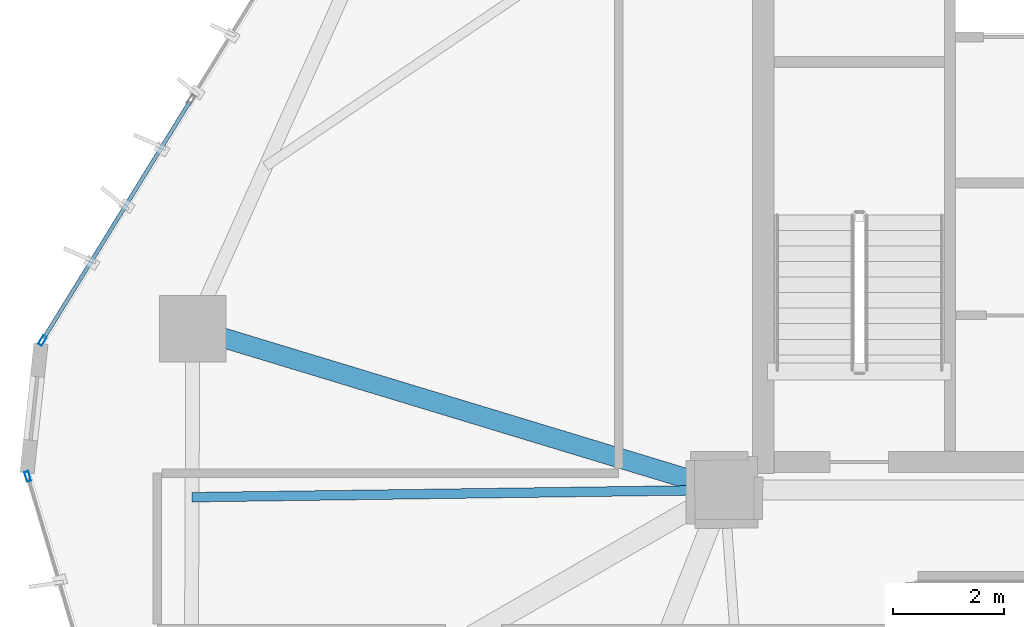
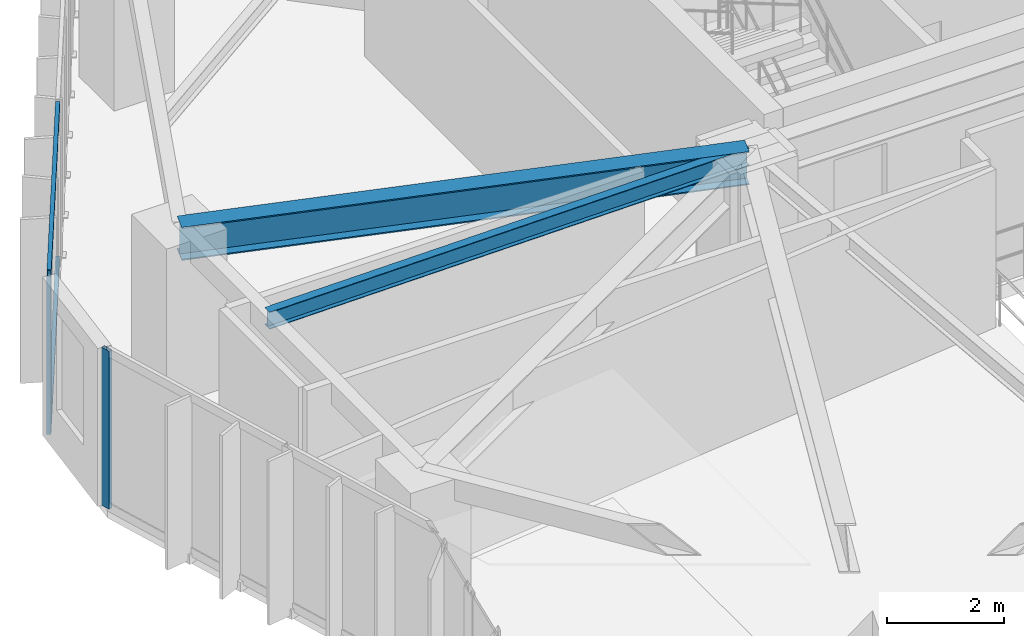
# One storey, part 7 of 20: 4 members, 2 beams, 2 elements without a shape of their own.
"""IFC4 building model written with IfcOpenShell, lengths in metres."""

from ifc_helpers import new_model, si_unit, direction, frame, origin, origin_2d, place, context, subcontext, project, spatial, hollow_rectangle, i_section, extrude, source, transform, mapped, material, layer, layer_set, material_profile, profile_set, type_object, type_shapes, element, aggregate, save


model = new_model("IFC4")

# Units and contexts
model_context = context("Model", 3, precision=1e-05, world=origin(), true_north=direction((0.0, 1.0)))
body_context = subcontext(model_context, "Body", "Model", "MODEL_VIEW")
ifc_project = project(units=[si_unit("LENGTHUNIT", "METRE"), si_unit("AREAUNIT", "SQUARE_METRE"), si_unit("VOLUMEUNIT", "CUBIC_METRE"), si_unit("PLANEANGLEUNIT", "RADIAN"), si_unit("MASSUNIT", "GRAM", prefix="KILO")], contexts=[model_context])

# Site, building, storey
site_placement = place(None, origin())
site = spatial("IfcSite", under=ifc_project, at=site_placement, CompositionType="ELEMENT")
building_placement = place(site_placement, origin())
building = spatial("IfcBuilding", under=site, at=building_placement, Name="Talar Marvaseh", CompositionType="ELEMENT")
storey_placement = place(building_placement, frame((0.0, 0.0, 132.60009765625)))
storey = spatial("IfcBuildingStorey", under=building, at=storey_placement, Name="L34", CompositionType="ELEMENT", Elevation=132.60009765625)

# Beams
ifc_material_1 = material(Name="Steel S355", Category="steel")
ifc_material_profile_1 = material_profile(ifc_material_1, i_section(OverallWidth=0.35498046875, OverallDepth=0.695068359375, WebThickness=0.015380859375, FlangeThickness=0.02490234375, at=origin_2d()), Name="W690x217")
ifc_profile_set_1 = profile_set([ifc_material_profile_1], Name="Steel S355")
beam_type_1 = type_object("IfcBeamType", Name="Zone 2 Radial Floor Girder W690x217", PredefinedType="BEAM", material=ifc_profile_set_1)
beam_1_placement = place(storey_placement, frame((9.137939453125, 28.402099609375, 2.96240234375), z_axis=(0.956898764921, -0.290421682546, 0.0), x_axis=(0.290421682546, 0.956898764921, 0.0)))
element("IfcBeam", 1, at=beam_1_placement, inside=storey, type_object=beam_type_1, Name="L34 Zone 2 Radial Floor Girder W690x217", PredefinedType="BEAM", context=body_context, shape_type="SweptSolid", body=[
    extrude(i_section(OverallWidth=0.35498046875, OverallDepth=0.695068359375, WebThickness=0.015380859375, FlangeThickness=0.02490234375, at=origin_2d()), origin(), (0.0, 0.0, 1.0), 9.99267578125),
])
ifc_material_profile_2 = material_profile(ifc_material_1, i_section(OverallWidth=0.172119140625, OverallDepth=0.35791015625, WebThickness=0.0078125, FlangeThickness=0.01318359375, at=origin_2d()), Name="W360x57")
ifc_profile_set_2 = profile_set([ifc_material_profile_2], Name="Steel S355")
beam_type_2 = type_object("IfcBeamType", Name="Zone 2 Secondary Floor Joist W360x57", PredefinedType="JOIST", material=ifc_profile_set_2)
beam_2_placement = place(storey_placement, frame((9.124755859375, 25.368896484375, 3.130859375), z_axis=(0.999906277829, 0.013690710637, 0.0), x_axis=(-0.013690710637, 0.999906277829, 0.0)))
element("IfcBeam", 2, at=beam_2_placement, inside=storey, type_object=beam_type_2, Name="L34 Zone 2 Secondary Floor Joist W360x57", PredefinedType="JOIST", context=body_context, shape_type="SweptSolid", body=[
    extrude(i_section(OverallWidth=0.172119140625, OverallDepth=0.35791015625, WebThickness=0.0078125, FlangeThickness=0.01318359375, at=origin_2d()), origin(), (0.0, 0.0, 1.0), 9.576171875),
])

# Curtain wall, members
ifc_material_2 = material(Name="Architectural Aluminium", Category="aluminium")
ifc_layer = layer(ifc_material_2, 0.199951171875)
ifc_layer_set = layer_set([ifc_layer], Name="Architectural Aluminium")
curtain_wall_type = type_object("IfcCurtainWallType", Name="Unitised Acoustic Library Curtain Wall Z2", PredefinedType="NOTDEFINED", material=ifc_layer_set)
curtain_wall_1_placement = place(storey_placement, origin())
curtain_wall_1 = element("IfcCurtainWall", 3, at=curtain_wall_1_placement, inside=storey, type_object=curtain_wall_type, Name="L34 Unitised Acoustic Library Curtain Wall Z2", PredefinedType="NOTDEFINED")
ifc_material_profile_3 = material_profile(ifc_material_2, hollow_rectangle(XDim=0.074951171875, YDim=0.179931640625, WallThickness=0.0048828125, at=origin_2d()), Name="RHS180x75x5")
ifc_profile_set_3 = profile_set([ifc_material_profile_3], Name="Architectural Aluminium")
member_type_1 = type_object("IfcMemberType", Name="Unitised Curtain Wall Transom RHS180x75x5", PredefinedType="USERDEFINED", material=ifc_profile_set_3)
shared_shape_1 = source(origin(), body_context, "Body", "SweptSolid", [
    extrude(hollow_rectangle(XDim=0.074951171875, YDim=0.179931640625, WallThickness=0.0048828125, at=origin_2d()), origin(), (0.0, 0.0, 1.0), 5.017578125),
])
type_shapes(member_type_1, [shared_shape_1])
member_1_placement = place(storey_placement, frame((6.45263671875, 28.2197265625, 0.037353515625), z_axis=(0.525210046577, 0.850972624104, 0.0), x_axis=(-0.850972624104, 0.525210046577, 0.0)))
member_1 = element("IfcMember", 4, at=member_1_placement, type_object=member_type_1, Name="CW-Z2 transom 1.1", ObjectType="TRANSOM", PredefinedType="USERDEFINED", context=body_context, shape_type="MappedRepresentation", body=[
    mapped(shared_shape_1, transform((0.0, 0.0, 0.0), x_axis=(1.0, 0.0, 0.0), y_axis=(0.0, 1.0, 0.0), z_axis=(0.0, 0.0, 1.0), scale=1.0)),
])
member_2_placement = place(storey_placement, frame((6.45263671875, 28.2197265625, 3.2724609375), z_axis=(0.525210046577, 0.850972624104, 0.0), x_axis=(-0.850972624104, 0.525210046577, 0.0)))
member_2 = element("IfcMember", 5, at=member_2_placement, type_object=member_type_1, Name="CW-Z2 transom 1.2", ObjectType="TRANSOM", PredefinedType="USERDEFINED", context=body_context, shape_type="MappedRepresentation", body=[
    mapped(shared_shape_1, transform((0.0, 0.0, 0.0), x_axis=(1.0, 0.0, 0.0), y_axis=(0.0, 1.0, 0.0), z_axis=(0.0, 0.0, 1.0), scale=1.0)),
])

# Curtain wall, member
curtain_wall_2_placement = place(storey_placement, origin())
curtain_wall_2 = element("IfcCurtainWall", 6, at=curtain_wall_2_placement, inside=storey, type_object=curtain_wall_type, Name="L34 Unitised Acoustic Library Curtain Wall Z2", PredefinedType="NOTDEFINED")
ifc_material_profile_4 = material_profile(ifc_material_2, hollow_rectangle(XDim=0.074951171875, YDim=0.179931640625, WallThickness=0.0048828125, at=origin_2d()), Name="RHS180x75x5")
ifc_profile_set_4 = profile_set([ifc_material_profile_4], Name="Architectural Aluminium")
member_type_2 = type_object("IfcMemberType", Name="Unitised Curtain Wall Standard Mullion RHS180x75x5", PredefinedType="MULLION", material=ifc_profile_set_4)
shared_shape_2 = source(origin(), body_context, "Body", "SweptSolid", [
    extrude(hollow_rectangle(XDim=0.074951171875, YDim=0.179931640625, WallThickness=0.0048828125, at=origin_2d()), origin(), (0.0, 0.0, 1.0), 3.309814453125),
])
type_shapes(member_type_2, [shared_shape_2])
member_3_placement = place(storey_placement, frame((6.16796875, 25.743896484375, 0.0), z_axis=(0.0, 0.0, 1.0), x_axis=(-0.958340569075, -0.28562799874, 0.0)))
member_3 = element("IfcMember", 7, at=member_3_placement, type_object=member_type_2, Name="CW-Z2 mullion 5", PredefinedType="MULLION", context=body_context, shape_type="MappedRepresentation", body=[
    mapped(shared_shape_2, transform((0.0, 0.0, 0.0), x_axis=(1.0, 0.0, 0.0), y_axis=(0.0, 1.0, 0.0), z_axis=(0.0, 0.0, 1.0), scale=1.0)),
])
aggregate(curtain_wall_2, [member_3])

# Member
member_4_placement = place(storey_placement, frame((6.43310546875, 28.187744140625, 0.0), z_axis=(0.0, 0.0, 1.0), x_axis=(-0.850974472915, 0.525207051026, 0.0)))
member_4 = element("IfcMember", 8, at=member_4_placement, type_object=member_type_2, Name="CW-Z2 mullion 1", PredefinedType="MULLION", context=body_context, shape_type="MappedRepresentation", body=[
    mapped(shared_shape_2, transform((0.0, 0.0, 0.0), x_axis=(1.0, 0.0, 0.0), y_axis=(0.0, 1.0, 0.0), z_axis=(0.0, 0.0, 1.0), scale=1.0)),
])

aggregate(curtain_wall_1, [member_4, member_1, member_2])

save(model, "model.ifc")
